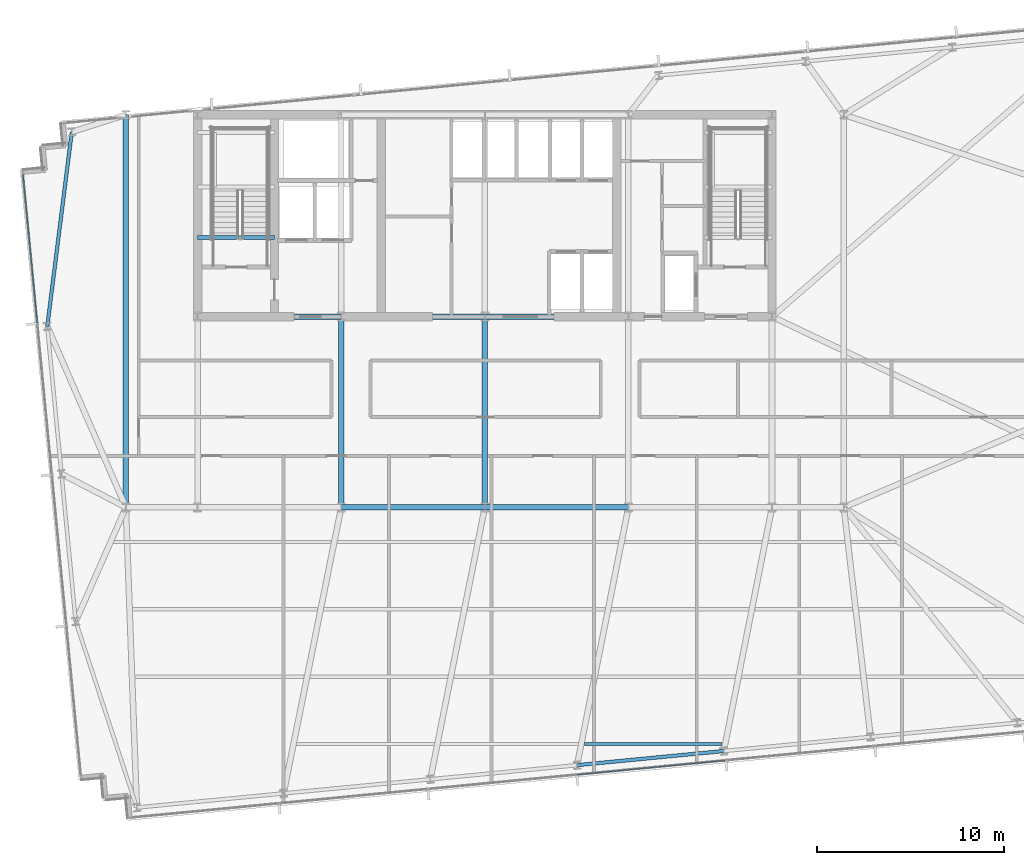
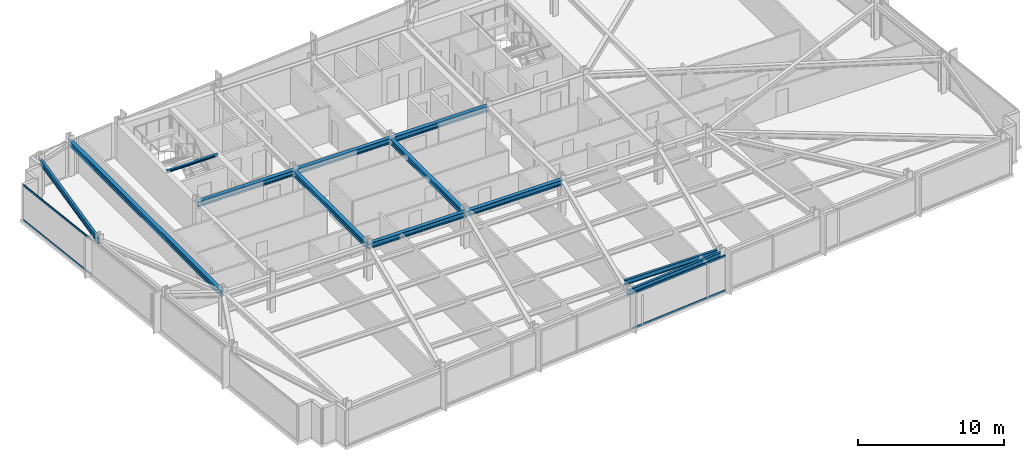
# One storey, part 9 of 32: 12 beams, 4 members, 2 elements without a shape of their own.
"""IFC4 building model written with IfcOpenShell, lengths in metres."""

from ifc_helpers import new_model, si_unit, direction, frame, origin, origin_2d, place, context, subcontext, project, spatial, hollow_rectangle, i_section, extrude, material, material_profile, profile_set, type_object, element, aggregate, save


model = new_model("IFC4")

# Units and contexts
model_context = context("Model", 3, precision=1e-05, world=origin(), true_north=direction((0.0, 1.0)))
body_context = subcontext(model_context, "Body", "Model", "MODEL_VIEW")
ifc_project = project(units=[si_unit("LENGTHUNIT", "METRE"), si_unit("AREAUNIT", "SQUARE_METRE"), si_unit("VOLUMEUNIT", "CUBIC_METRE"), si_unit("PLANEANGLEUNIT", "RADIAN"), si_unit("MASSUNIT", "GRAM", prefix="KILO")], contexts=[model_context])

# Site, building, storey
site_placement = place(None, origin())
site = spatial("IfcSite", under=ifc_project, at=site_placement, CompositionType="ELEMENT")
building_placement = place(site_placement, origin())
building = spatial("IfcBuilding", under=site, at=building_placement, Name="Yelkora Congress Tower", CompositionType="ELEMENT")
storey_placement = place(building_placement, frame((0.0, 0.0, 133.89990234375)))
storey = spatial("IfcBuildingStorey", under=building, at=storey_placement, Name="L36", CompositionType="ELEMENT", Elevation=133.89990234375)

# Beams
ifc_material_1 = material(Name="Steel S355J2", Category="steel")
ifc_material_profile_1 = material_profile(ifc_material_1, i_section(OverallWidth=0.300048828125, OverallDepth=0.449951171875, WebThickness=0.013916015625, FlangeThickness=0.02587890625, FilletRadius=0.027099609375, at=origin_2d()), Name="HEB 450")
ifc_profile_set_1 = profile_set([ifc_material_profile_1], Name="Steel S355J2")
beam_type_1 = type_object("IfcBeamType", Name="BM-GIRD-HEB450", PredefinedType="BEAM", material=ifc_profile_set_1)
beam_1_placement = place(storey_placement, frame((30.719970703125, 25.199951171875, 2.755126953125), z_axis=(1.0, 0.0, 0.0), x_axis=(0.0, 1.0, 0.0)))
element("IfcBeam", 1, at=beam_1_placement, inside=storey, type_object=beam_type_1, Name="L36 Spine Grid D Girder 3", PredefinedType="BEAM", context=body_context, shape_type="SweptSolid", body=[
    extrude(i_section(OverallWidth=0.300048828125, OverallDepth=0.449951171875, WebThickness=0.013916015625, FlangeThickness=0.02587890625, FilletRadius=0.027099609375, at=origin_2d()), origin(), (0.0, 0.0, 1.0), 7.679931640625),
])
beam_2_placement = place(storey_placement, frame((38.39990234375, 25.199951171875, 2.755126953125), z_axis=(1.0, 0.0, 0.0), x_axis=(0.0, 1.0, 0.0)))
element("IfcBeam", 2, at=beam_2_placement, inside=storey, type_object=beam_type_1, Name="L36 Spine Grid D Girder 4", PredefinedType="BEAM", context=body_context, shape_type="SweptSolid", body=[
    extrude(i_section(OverallWidth=0.300048828125, OverallDepth=0.449951171875, WebThickness=0.013916015625, FlangeThickness=0.02587890625, FilletRadius=0.027099609375, at=origin_2d()), origin(), (0.0, 0.0, 1.0), 7.68017578125),
])
for number, where, z_axis, x_axis, name in (
    (3, (23.0400390625, 35.39990234375, 2.755126953125), (1.0, 0.0, 0.0), (0.0, 1.0, 0.0), "L36 Core South Girder 1"),
    (4, (30.719970703125, 35.39990234375, 2.755126953125), (1.0, 0.0, 0.0), (0.0, 1.0, 0.0), "L36 Core South Girder 2"),
):
    element("IfcBeam", number, at=place(storey_placement, frame(where, z_axis=z_axis, x_axis=x_axis)), inside=storey, type_object=beam_type_1, Name=name, PredefinedType="BEAM", context=body_context, shape_type="SweptSolid", body=[
        extrude(i_section(OverallWidth=0.300048828125, OverallDepth=0.449951171875, WebThickness=0.013916015625, FlangeThickness=0.02587890625, FilletRadius=0.027099609375, at=origin_2d()), origin(), (0.0, 0.0, 1.0), 7.679931640625),
    ])
beam_3_placement = place(storey_placement, frame((38.39990234375, 35.39990234375, 2.755126953125), z_axis=(1.0, 0.0, 0.0), x_axis=(0.0, 1.0, 0.0)))
element("IfcBeam", 5, at=beam_3_placement, inside=storey, type_object=beam_type_1, Name="L36 Core South Girder 3", PredefinedType="BEAM", context=body_context, shape_type="SweptSolid", body=[
    extrude(i_section(OverallWidth=0.300048828125, OverallDepth=0.449951171875, WebThickness=0.013916015625, FlangeThickness=0.02587890625, FilletRadius=0.027099609375, at=origin_2d()), origin(), (0.0, 0.0, 1.0), 7.68017578125),
])
for number, where, z_axis, x_axis, name in (
    (6, (30.719970703125, 25.199951171875, 2.755126953125), (0.0, 1.0, 0.0), (-1.0, 0.0, 0.0), "L36 Core Tie Girder MC-D2"),
    (7, (38.39990234375, 25.199951171875, 2.755126953125), (0.0, 1.0, 0.0), (-1.0, 0.0, 0.0), "L36 Core Tie Girder MC-D3"),
):
    element("IfcBeam", number, at=place(storey_placement, frame(where, z_axis=z_axis, x_axis=x_axis)), inside=storey, type_object=beam_type_1, Name=name, PredefinedType="BEAM", context=body_context, shape_type="SweptSolid", body=[
        extrude(i_section(OverallWidth=0.300048828125, OverallDepth=0.449951171875, WebThickness=0.013916015625, FlangeThickness=0.02587890625, FilletRadius=0.027099609375, at=origin_2d()), origin(), (0.0, 0.0, 1.0), 10.199951171875),
    ])
beam_4_placement = place(storey_placement, frame((19.199951171875, 25.199951171875, 2.755126953125), z_axis=(0.0, 1.0, 0.0), x_axis=(-1.0, 0.0, 0.0)))
element("IfcBeam", 8, at=beam_4_placement, inside=storey, type_object=beam_type_1, Name="L36 Neck Flank Girder MC-F1", PredefinedType="BEAM", context=body_context, shape_type="SweptSolid", body=[
    extrude(i_section(OverallWidth=0.300048828125, OverallDepth=0.449951171875, WebThickness=0.013916015625, FlangeThickness=0.02587890625, FilletRadius=0.027099609375, at=origin_2d()), origin(), (0.0, 0.0, 1.0), 21.0),
])
ifc_material_profile_2 = material_profile(ifc_material_1, i_section(OverallWidth=0.179931640625, OverallDepth=0.39990234375, WebThickness=0.008544921875, FlangeThickness=0.013427734375, FilletRadius=0.02099609375, at=origin_2d()), Name="IPE 400")
ifc_profile_set_2 = profile_set([ifc_material_profile_2], Name="Steel S355J2")
beam_type_2 = type_object("IfcBeamType", Name="BM-JOIST-IPE400", PredefinedType="JOIST", material=ifc_profile_set_2)
beam_5_placement = place(storey_placement, frame((43.7197265625, 12.54443359375, 2.780029296875), z_axis=(1.0, 0.0, 0.0), x_axis=(0.0, 1.0, 0.0)))
element("IfcBeam", 9, at=beam_5_placement, inside=storey, type_object=beam_type_2, Name="L36 Composite Floor Joist 3", PredefinedType="JOIST", context=body_context, shape_type="SweptSolid", body=[
    extrude(i_section(OverallWidth=0.179931640625, OverallDepth=0.39990234375, WebThickness=0.008544921875, FlangeThickness=0.013427734375, FilletRadius=0.02099609375, at=origin_2d()), origin(), (0.0, 0.0, 1.0), 7.37841796875),
])
ifc_material_profile_3 = material_profile(ifc_material_1, i_section(OverallWidth=0.199951171875, OverallDepth=0.18994140625, WebThickness=0.006591796875, FlangeThickness=0.010009765625, FilletRadius=0.01806640625, at=origin_2d()), Name="HEA 200")
ifc_profile_set_3 = profile_set([ifc_material_profile_3], Name="Steel S355J2")
beam_type_3 = type_object("IfcBeamType", Name="BM-LAND-HEA200", PredefinedType="BEAM", material=ifc_profile_set_3)
beam_6_placement = place(storey_placement, frame((23.0400390625, 39.639892578125, 2.884765625), z_axis=(1.0, 0.0, 0.0), x_axis=(0.0, 1.0, 0.0)))
element("IfcBeam", 10, at=beam_6_placement, inside=storey, type_object=beam_type_3, Name="ST-01 L36 Floor Arrival Stringer Header Beam", PredefinedType="BEAM", context=body_context, shape_type="SweptSolid", body=[
    extrude(i_section(OverallWidth=0.199951171875, OverallDepth=0.18994140625, WebThickness=0.006591796875, FlangeThickness=0.010009765625, FilletRadius=0.01806640625, at=origin_2d()), origin(), (0.0, 0.0, 1.0), 4.10986328125),
])
ifc_material_profile_4 = material_profile(ifc_material_1, i_section(OverallWidth=0.18994140625, OverallDepth=0.449951171875, WebThickness=0.009521484375, FlangeThickness=0.0146484375, FilletRadius=0.02099609375, at=origin_2d()), Name="IPE 450")
ifc_profile_set_4 = profile_set([ifc_material_profile_4], Name="Steel S355J2")
beam_type_4 = type_object("IfcBeamType", Name="BM-SPAN-IPE450", PredefinedType="SPANDREL", material=ifc_profile_set_4)
beam_7_placement = place(storey_placement, frame((43.334228515625, 11.411865234375, 2.755126953125), z_axis=(0.995398529126, 0.09582154358, 0.0), x_axis=(-0.09582154358, 0.995398529126, 0.0)))
element("IfcBeam", 11, at=beam_7_placement, inside=storey, type_object=beam_type_4, Name="L36 Perimeter Beam 6", PredefinedType="SPANDREL", context=body_context, shape_type="SweptSolid", body=[
    extrude(i_section(OverallWidth=0.18994140625, OverallDepth=0.449951171875, WebThickness=0.009521484375, FlangeThickness=0.0146484375, FilletRadius=0.02099609375, at=origin_2d()), origin(), (0.0, 0.0, 1.0), 7.8857421875),
])
beam_8_placement = place(storey_placement, frame((16.306884765625, 45.27734375, 2.755126953125), z_axis=(-0.124952129665, -0.992162771571, 0.0), x_axis=(0.992162771571, -0.124952129665, 0.0)))
element("IfcBeam", 12, at=beam_8_placement, inside=storey, type_object=beam_type_4, Name="L36 Perimeter Beam 18", PredefinedType="SPANDREL", context=body_context, shape_type="SweptSolid", body=[
    extrude(i_section(OverallWidth=0.18994140625, OverallDepth=0.449951171875, WebThickness=0.009521484375, FlangeThickness=0.0146484375, FilletRadius=0.02099609375, at=origin_2d()), origin(), (0.0, 0.0, 1.0), 10.48046875),
])

# Curtain wall, members
ifc_material_2 = material(Name="Anodised aluminium and insulated glass", Category="aluminium")
curtain_wall_type = type_object("IfcCurtainWallType", Name="CW-SYS-B2", PredefinedType="NOTDEFINED", material=ifc_material_2)
curtain_wall_1_placement = place(storey_placement, origin())
curtain_wall_1 = element("IfcCurtainWall", 13, at=curtain_wall_1_placement, inside=storey, type_object=curtain_wall_type, Name="L36 Unitised Curtain Wall 5", PredefinedType="NOTDEFINED")
ifc_material_3 = material(Name="Anodised aluminium 6063-T6", Category="aluminium")
ifc_material_profile_5 = material_profile(ifc_material_3, hollow_rectangle(XDim=0.06494140625, YDim=0.159912109375, WallThickness=0.00390625, at=origin_2d()), Name="ALU 65x160x4")
ifc_profile_set_5 = profile_set([ifc_material_profile_5], Name="Anodised aluminium 6063-T6")
member_type = type_object("IfcMemberType", Name="MEM-TR-B2", PredefinedType="USERDEFINED", material=ifc_profile_set_5)
member_1_placement = place(storey_placement, frame((14.466796875, 35.06884765625, 0.03271484375), z_axis=(-0.095858482834, 0.995394972495, 0.0), x_axis=(-0.995394972495, -0.095858482834, 0.0)))
member_1 = element("IfcMember", 14, at=member_1_placement, type_object=member_type, Name="CW-B2 transom 4.1", ObjectType="TRANSOM", PredefinedType="USERDEFINED", context=body_context, shape_type="SweptSolid", body=[
    extrude(hollow_rectangle(XDim=0.06494140625, YDim=0.159912109375, WallThickness=0.00390625, at=origin_2d()), origin(), (0.0, 0.0, 1.0), 8.025146484375),
])
member_2_placement = place(storey_placement, frame((14.466796875, 35.06884765625, 2.947509765625), z_axis=(-0.095858482834, 0.995394972495, 0.0), x_axis=(-0.995394972495, -0.095858482834, 0.0)))
member_2 = element("IfcMember", 15, at=member_2_placement, type_object=member_type, Name="CW-B2 transom 4.2", ObjectType="TRANSOM", PredefinedType="USERDEFINED", context=body_context, shape_type="SweptSolid", body=[
    extrude(hollow_rectangle(XDim=0.06494140625, YDim=0.159912109375, WallThickness=0.00390625, at=origin_2d()), origin(), (0.0, 0.0, 1.0), 8.025146484375),
])
aggregate(curtain_wall_1, [member_1, member_2])

curtain_wall_2_placement = place(storey_placement, origin())
curtain_wall_2 = element("IfcCurtainWall", 16, at=curtain_wall_2_placement, inside=storey, type_object=curtain_wall_type, Name="L36 Unitised Curtain Wall 20", PredefinedType="NOTDEFINED")
member_3_placement = place(storey_placement, frame((51.255859375, 11.662353515625, 0.03271484375), z_axis=(-0.995394074338, -0.095867808848, 0.0), x_axis=(0.095867808848, -0.995394074338, 0.0)))
member_3 = element("IfcMember", 17, at=member_3_placement, type_object=member_type, Name="CW-B2 transom 4.1", ObjectType="TRANSOM", PredefinedType="USERDEFINED", context=body_context, shape_type="SweptSolid", body=[
    extrude(hollow_rectangle(XDim=0.06494140625, YDim=0.159912109375, WallThickness=0.00390625, at=origin_2d()), origin(), (0.0, 0.0, 1.0), 7.932861328125),
])
member_4_placement = place(storey_placement, frame((51.255859375, 11.662353515625, 2.947509765625), z_axis=(-0.995394074338, -0.095867808848, 0.0), x_axis=(0.095867808848, -0.995394074338, 0.0)))
member_4 = element("IfcMember", 18, at=member_4_placement, type_object=member_type, Name="CW-B2 transom 4.2", ObjectType="TRANSOM", PredefinedType="USERDEFINED", context=body_context, shape_type="SweptSolid", body=[
    extrude(hollow_rectangle(XDim=0.06494140625, YDim=0.159912109375, WallThickness=0.00390625, at=origin_2d()), origin(), (0.0, 0.0, 1.0), 7.932861328125),
])
aggregate(curtain_wall_2, [member_3, member_4])

save(model, "model.ifc")
